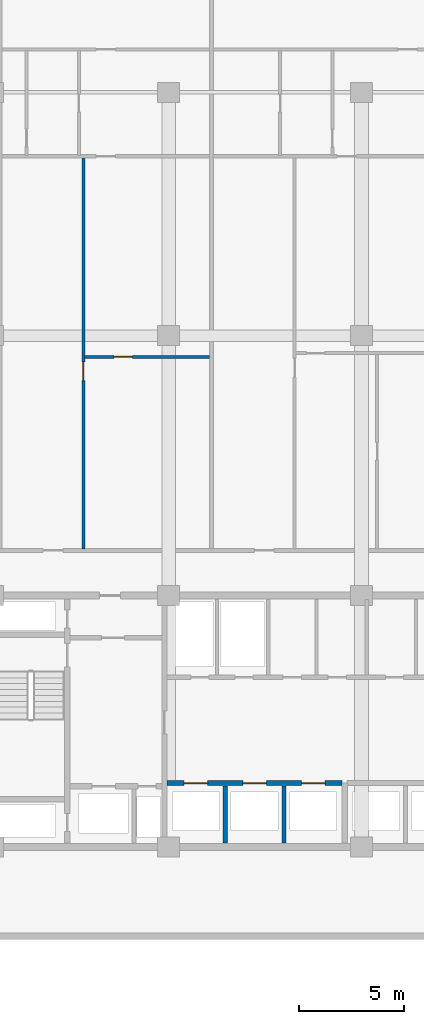
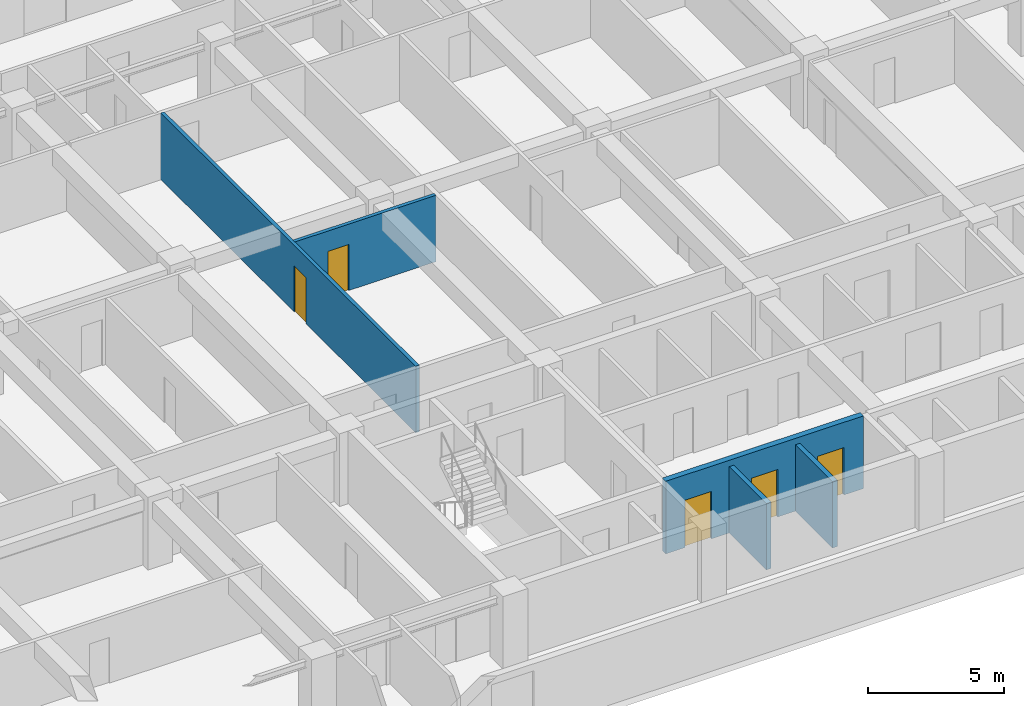
# One storey, part 10 of 23: 5 doors, 5 walls, 5 openings.
"""IFC4 building model written with IfcOpenShell, lengths in metres."""

from ifc_helpers import new_model, si_unit, direction, frame, frame_2d, origin, place, context, subcontext, project, spatial, rectangle, extrude, material, layer, layer_set, type_object, element, fill, save


model = new_model("IFC4")

# Units and contexts
model_context = context("Model", 3, precision=1e-05, world=origin(), true_north=direction((0.0, 1.0)))
body_context = subcontext(model_context, "Body", "Model", "MODEL_VIEW")
ifc_project = project(units=[si_unit("LENGTHUNIT", "METRE"), si_unit("AREAUNIT", "SQUARE_METRE"), si_unit("VOLUMEUNIT", "CUBIC_METRE"), si_unit("PLANEANGLEUNIT", "RADIAN"), si_unit("MASSUNIT", "GRAM", prefix="KILO")], contexts=[model_context])

# Site, building, storey
site_placement = place(None, origin())
site = spatial("IfcSite", under=ifc_project, at=site_placement, CompositionType="ELEMENT")
building_placement = place(site_placement, origin())
building = spatial("IfcBuilding", under=site, at=building_placement, Name="Korimba Cascade Residences", CompositionType="ELEMENT")
storey_placement = place(building_placement, frame((0.0, 0.0, 30.5)))
storey = spatial("IfcBuildingStorey", under=building, at=storey_placement, Name="L07", CompositionType="ELEMENT", Elevation=30.5)

# Wall, opening, door
ifc_material_1 = material(Name="Insulated Acoustic Stud Partition", Category="gypsum")
ifc_layer_1 = layer(ifc_material_1, 0.14990234375)
ifc_layer_set_1 = layer_set([ifc_layer_1], Name="Insulated Acoustic Stud Partition")
wall_type_1 = type_object("IfcWallType", Name="WAL-PART-150", PredefinedType="PARTITIONING", material=ifc_layer_set_1)
wall_1_placement = place(storey_placement, frame((80.49365234375, 78.580078125, 0.0), z_axis=(0.0, 0.0, 1.0), x_axis=(1.0, 0.0, 0.0)))
wall_1 = element("IfcWall", 1, at=wall_1_placement, inside=storey, type_object=wall_type_1, Name="L07 Partition Wall WAL-L07-T1-U03-FMH", PredefinedType="PARTITIONING", context=body_context, shape_type="SweptSolid", body=[
    extrude(rectangle(XDim=5.9677734375, YDim=0.14990234375, at=frame_2d((2.98388671875, 0.0))), origin(), (0.0, 0.0, 1.0), 2.969970703125),
])
opening_1_placement = place(wall_1_placement, frame((1.403076171875, 0.0, 0.0)))
opening_1 = element("IfcOpeningElement", 2, at=opening_1_placement, cuts=wall_1, Name="Opening D-IN2", PredefinedType="OPENING", context=body_context, shape_type="SweptSolid", body=[
    extrude(rectangle(XDim=0.8798828125, YDim=2.06005859375, at=frame_2d((0.43994140625, 1.030029296875))), frame((0.0, 0.0849609375, 0.0), z_axis=(0.0, -1.0, 0.0), x_axis=(1.0, 0.0, 0.0)), (0.0, 0.0, 1.0), 0.169921875),
])
ifc_material_2 = material(Name="Acoustic Timber Bedroom Door", Category="wood")
door_type_1 = type_object("IfcDoorType", Name="DR-INT-880", OperationType="NOTDEFINED", PredefinedType="DOOR", material=ifc_material_2)
door_1_placement = place(opening_1_placement, origin())
door_1 = element("IfcDoor", 3, at=door_1_placement, inside=storey, type_object=door_type_1, Name="L07-T1-U03 Library Salon Door", OperationType="SINGLE_SWING_LEFT", OverallHeight=2.06005859375, OverallWidth=0.8798828125, PredefinedType="DOOR", context=body_context, shape_type="SweptSolid", body=[
    extrude(rectangle(XDim=0.8798828125, YDim=2.06005859375, at=frame_2d((0.43994140625, 1.030029296875))), frame((0.0, 0.02490234375, 0.0), z_axis=(0.0, -1.0, 0.0), x_axis=(1.0, 0.0, 0.0)), (0.0, 0.0, 1.0), 0.050048828125),
])
fill(opening_1, door_1)

wall_2_placement = place(storey_placement, frame((80.43359375, 69.409912109375, 0.0), z_axis=(0.0, 0.0, 1.0), x_axis=(0.0, 1.0, 0.0)))
wall_2 = element("IfcWall", 4, at=wall_2_placement, inside=storey, type_object=wall_type_1, Name="L07 Partition Wall WAL-L07-T1-U03-FV", PredefinedType="PARTITIONING", context=body_context, shape_type="SweptSolid", body=[
    extrude(rectangle(XDim=18.7001953125, YDim=0.14990234375, at=frame_2d((9.35009765625, 0.0))), origin(), (0.0, 0.0, 1.0), 2.969970703125),
])
opening_2_placement = place(wall_2_placement, frame((8.0400390625, 0.0, 0.0)))
opening_2 = element("IfcOpeningElement", 5, at=opening_2_placement, cuts=wall_2, Name="Opening D-IN2", PredefinedType="OPENING", context=body_context, shape_type="SweptSolid", body=[
    extrude(rectangle(XDim=0.8798828125, YDim=2.06005859375, at=frame_2d((0.43994140625, 1.030029296875))), frame((0.0, 0.0849609375, 0.0), z_axis=(0.0, -1.0, 0.0), x_axis=(1.0, 0.0, 0.0)), (0.0, 0.0, 1.0), 0.169921875),
])
door_2_placement = place(opening_2_placement, origin())
door_2 = element("IfcDoor", 6, at=door_2_placement, inside=storey, type_object=door_type_1, Name="L07-T1-U03 Media Lounge Door", OperationType="SINGLE_SWING_RIGHT", OverallHeight=2.06005859375, OverallWidth=0.8798828125, PredefinedType="DOOR", context=body_context, shape_type="SweptSolid", body=[
    extrude(rectangle(XDim=0.8798828125, YDim=2.06005859375, at=frame_2d((0.43994140625, 1.030029296875))), frame((0.0, 0.02490234375, 0.0), z_axis=(0.0, -1.0, 0.0), x_axis=(1.0, 0.0, 0.0)), (0.0, 0.0, 1.0), 0.050048828125),
])
fill(opening_2, door_2)

# Walls
ifc_material_3 = material(Name="Concrete C40/50", Category="concrete")
ifc_layer_2 = layer(ifc_material_3, 0.199951171875)
ifc_layer_set_2 = layer_set([ifc_layer_2], Name="Concrete C40/50")
wall_type_2 = type_object("IfcWallType", Name="WAL-PART-200", PredefinedType="PARTITIONING", material=ifc_layer_set_2)
for number, where, z_axis, x_axis, name in (
    (7, (87.199951171875, 55.39990234375, 0.0), (0.0, 0.0, 1.0), (0.0, 1.0, 0.0), "L07 Partition Wall CW-L07-T1-B1D1"),
    (8, (90.0, 55.39990234375, 0.0), (0.0, 0.0, 1.0), (0.0, 1.0, 0.0), "L07 Partition Wall CW-L07-T1-B1D2"),
):
    element("IfcWall", number, at=place(storey_placement, frame(where, z_axis=z_axis, x_axis=x_axis)), inside=storey, type_object=wall_type_2, Name=name, PredefinedType="PARTITIONING", context=body_context, shape_type="SweptSolid", body=[
        extrude(rectangle(XDim=2.72021484375, YDim=0.199951171875, at=frame_2d((1.360107421875, 0.0))), origin(), (0.0, 0.0, 1.0), 2.969970703125),
    ])

# Wall, openings, doors
ifc_material_4 = material(Name="Concrete C50/60", Category="concrete")
ifc_layer_3 = layer(ifc_material_4, 0.25)
ifc_layer_set_3 = layer_set([ifc_layer_3], Name="Concrete C50/60")
wall_type_3 = type_object("IfcWallType", Name="WAL-SHAFT-250", PredefinedType="SHEAR", material=ifc_layer_set_3)
wall_3_placement = place(storey_placement, frame((84.419921875, 58.25, 0.0), z_axis=(0.0, 0.0, 1.0), x_axis=(1.0, 0.0, 0.0)))
wall_3 = element("IfcWall", 9, at=wall_3_placement, inside=storey, type_object=wall_type_3, Name="L07 Core Shear Wall CW-L07-T1-B1N", PredefinedType="SHEAR", context=body_context, shape_type="SweptSolid", body=[
    extrude(rectangle(XDim=8.360107421875, YDim=0.25, at=frame_2d((4.18017578125, 0.0))), origin(), (0.0, 0.0, 1.0), 3.25),
])
opening_3_placement = place(wall_3_placement, frame((0.820068359375, 0.0, 0.0)))
opening_3 = element("IfcOpeningElement", 10, at=opening_3_placement, cuts=wall_3, Name="Opening LD-01", PredefinedType="OPENING", context=body_context, shape_type="SweptSolid", body=[
    extrude(rectangle(XDim=1.1201171875, YDim=2.1201171875, at=frame_2d((0.56005859375, 1.06005859375))), frame((0.0, 0.135009765625, 0.0), z_axis=(0.0, -1.0, 0.0), x_axis=(1.0, 0.0, 0.0)), (0.0, 0.0, 1.0), 0.27001953125),
])
opening_4_placement = place(wall_3_placement, frame((3.6201171875, 0.0, 0.0)))
opening_4 = element("IfcOpeningElement", 11, at=opening_4_placement, cuts=wall_3, Name="Opening LD-01", PredefinedType="OPENING", context=body_context, shape_type="SweptSolid", body=[
    extrude(rectangle(XDim=1.1201171875, YDim=2.1201171875, at=frame_2d((0.56005859375, 1.06005859375))), frame((0.0, 0.135009765625, 0.0), z_axis=(0.0, -1.0, 0.0), x_axis=(1.0, 0.0, 0.0)), (0.0, 0.0, 1.0), 0.27001953125),
])
opening_5_placement = place(wall_3_placement, frame((6.419921875, 0.0, 0.0)))
opening_5 = element("IfcOpeningElement", 12, at=opening_5_placement, cuts=wall_3, Name="Opening LD-01", PredefinedType="OPENING", context=body_context, shape_type="SweptSolid", body=[
    extrude(rectangle(XDim=1.1201171875, YDim=2.1201171875, at=frame_2d((0.56005859375, 1.06005859375))), frame((0.0, 0.135009765625, 0.0), z_axis=(0.0, -1.0, 0.0), x_axis=(1.0, 0.0, 0.0)), (0.0, 0.0, 1.0), 0.27001953125),
])
ifc_material_5 = material(Name="Stainless Steel Lift Landing Sliding Door", Category="steel")
door_type_2 = type_object("IfcDoorType", Name="DR-LIFT-1100", OperationType="NOTDEFINED", PredefinedType="DOOR", material=ifc_material_5)
door_3_placement = place(opening_3_placement, origin())
door_3 = element("IfcDoor", 13, at=door_3_placement, inside=storey, type_object=door_type_2, Name="L07 Lift Landing Door PL-W1", OperationType="SLIDING_TO_LEFT", OverallHeight=2.1201171875, OverallWidth=1.1201171875, PredefinedType="DOOR", context=body_context, shape_type="SweptSolid", body=[
    extrude(rectangle(XDim=1.1201171875, YDim=2.1201171875, at=frame_2d((0.56005859375, 1.06005859375))), frame((0.0, 0.02490234375, 0.0), z_axis=(0.0, -1.0, 0.0), x_axis=(1.0, 0.0, 0.0)), (0.0, 0.0, 1.0), 0.050048828125),
])
fill(opening_3, door_3)
door_4_placement = place(opening_4_placement, origin())
door_4 = element("IfcDoor", 14, at=door_4_placement, inside=storey, type_object=door_type_2, Name="L07 Lift Landing Door PL-W2", OperationType="SLIDING_TO_LEFT", OverallHeight=2.1201171875, OverallWidth=1.1201171875, PredefinedType="DOOR", context=body_context, shape_type="SweptSolid", body=[
    extrude(rectangle(XDim=1.1201171875, YDim=2.1201171875, at=frame_2d((0.56005859375, 1.06005859375))), frame((0.0, 0.02490234375, 0.0), z_axis=(0.0, -1.0, 0.0), x_axis=(1.0, 0.0, 0.0)), (0.0, 0.0, 1.0), 0.050048828125),
])
fill(opening_4, door_4)
door_5_placement = place(opening_5_placement, origin())
door_5 = element("IfcDoor", 15, at=door_5_placement, inside=storey, type_object=door_type_2, Name="L07 Lift Landing Door PL-W3", OperationType="SLIDING_TO_LEFT", OverallHeight=2.1201171875, OverallWidth=1.1201171875, PredefinedType="DOOR", context=body_context, shape_type="SweptSolid", body=[
    extrude(rectangle(XDim=1.1201171875, YDim=2.1201171875, at=frame_2d((0.56005859375, 1.06005859375))), frame((0.0, 0.02490234375, 0.0), z_axis=(0.0, -1.0, 0.0), x_axis=(1.0, 0.0, 0.0)), (0.0, 0.0, 1.0), 0.050048828125),
])
fill(opening_5, door_5)

save(model, "model.ifc")
